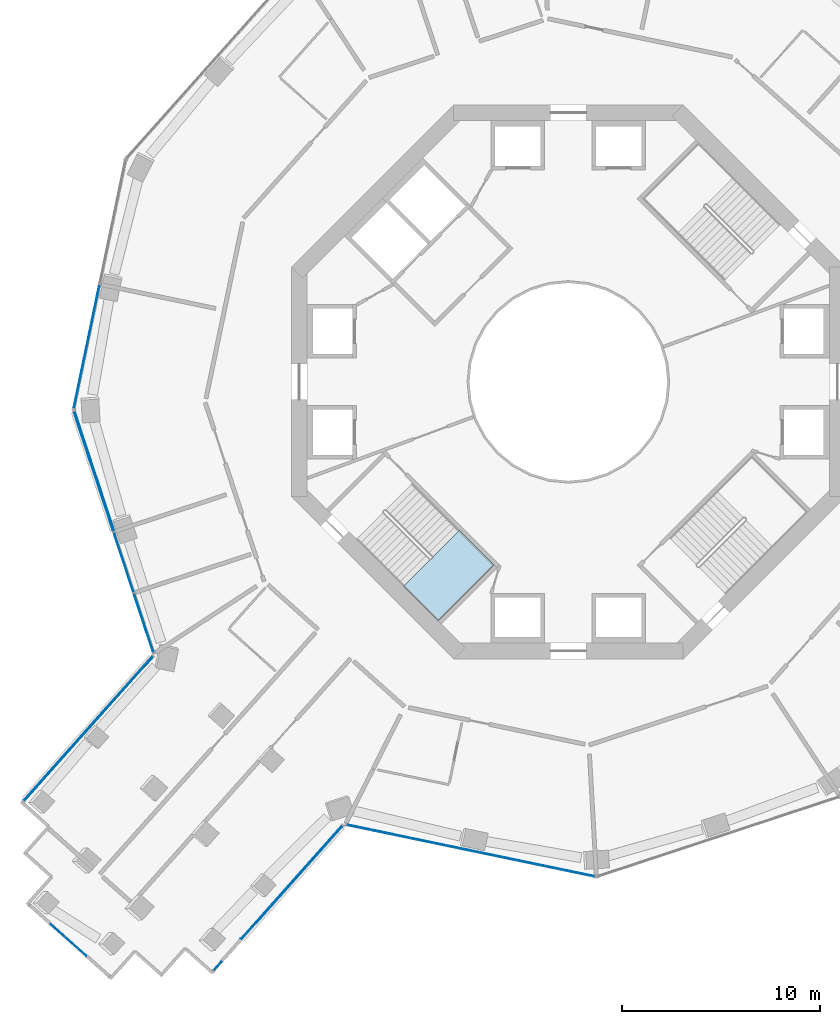
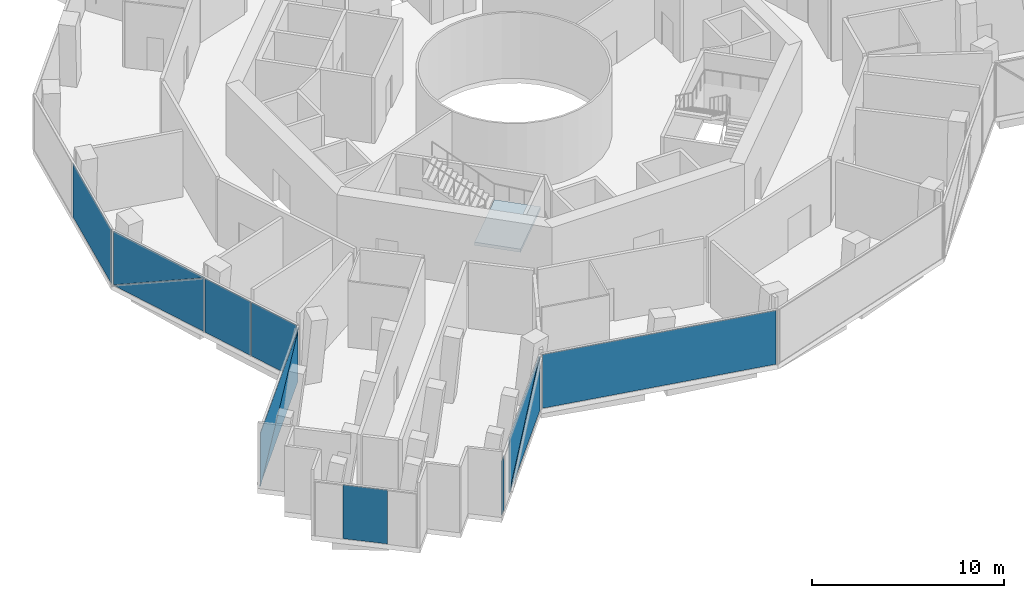
# One storey, part 10 of 21: 12 plates, 1 slab, 7 elements without a shape of their own.
"""IFC4 building model written with IfcOpenShell, lengths in metres."""

from ifc_helpers import new_model, si_unit, direction, frame, origin, origin_2d, place, context, subcontext, project, spatial, polyline, rectangle, outline, extrude, material, layer, layer_set, type_object, element, aggregate, save


model = new_model("IFC4")

# Units and contexts
model_context = context("Model", 3, precision=1e-05, world=origin(), true_north=direction((0.0, 1.0)))
body_context = subcontext(model_context, "Body", "Model", "MODEL_VIEW")
ifc_project = project(units=[si_unit("LENGTHUNIT", "METRE"), si_unit("AREAUNIT", "SQUARE_METRE"), si_unit("VOLUMEUNIT", "CUBIC_METRE"), si_unit("PLANEANGLEUNIT", "RADIAN"), si_unit("MASSUNIT", "GRAM", prefix="KILO")], contexts=[model_context])

# Site, building, storey
site_placement = place(None, origin())
site = spatial("IfcSite", under=ifc_project, at=site_placement, CompositionType="ELEMENT")
building_placement = place(site_placement, origin())
building = spatial("IfcBuilding", under=site, at=building_placement, Name="Verdalira Terraces Hotel", CompositionType="ELEMENT")
storey_placement = place(building_placement, frame((0.0, 0.0, 107.0)))
storey = spatial("IfcBuildingStorey", under=building, at=storey_placement, Name="L25", CompositionType="ELEMENT", Elevation=107.0)

# Curtain wall, plate
ifc_material_1 = material(Name="Clear glass", Category="glass")
ifc_layer_1 = layer(ifc_material_1, 0.179931640625)
ifc_layer_set_1 = layer_set([ifc_layer_1], Name="CW4 curtain wall")
curtain_wall_type = type_object("IfcCurtainWallType", Name="CW4 curtain wall", PredefinedType="NOTDEFINED", material=ifc_layer_set_1)
curtain_wall_1_placement = place(storey_placement, origin())
curtain_wall_1 = element("IfcCurtainWall", 1, at=curtain_wall_1_placement, inside=storey, type_object=curtain_wall_type, Name="CW4 curtain wall L25 edge 12", PredefinedType="NOTDEFINED")
ifc_material_2 = material(Name="Clear glass", Category="glass")
ifc_layer_2 = layer(ifc_material_2, 0.035888671875)
ifc_layer_set_2 = layer_set([ifc_layer_2], Name="CW4 glass unit 36")
plate_type = type_object("IfcPlateType", Name="CW4 glass unit 36", PredefinedType="CURTAIN_PANEL", material=ifc_layer_set_2)
plate_1_placement = place(storey_placement, frame((-24.345459, 1.785645, 0.0), z_axis=(0.0, 0.0, 1.0), x_axis=(-0.203812624, -0.979009915, 0.0)))
plate_1 = element("IfcPlate", 2, at=plate_1_placement, type_object=plate_type, Name="CW4 glass unit", PredefinedType="CURTAIN_PANEL", context=body_context, shape_type="SweptSolid", body=[
    extrude(rectangle(XDim=6.362305, YDim=0.035889, at=origin_2d()), origin(), (0.0, 0.0, 1.0), 3.419922),
])
aggregate(curtain_wall_1, [plate_1])

# Curtain wall, plates
curtain_wall_2_placement = place(storey_placement, origin())
curtain_wall_2 = element("IfcCurtainWall", 3, at=curtain_wall_2_placement, inside=storey, type_object=curtain_wall_type, Name="CW4 curtain wall L25 edge 13", PredefinedType="NOTDEFINED")
plate_2_placement = place(storey_placement, frame((-23.971191, -4.516113, 1.709961), z_axis=(-0.949753769, -0.312998048, 0.0), x_axis=(0.312998048, -0.949753769, 0.0)))
plate_2 = element("IfcPlate", 4, at=plate_2_placement, type_object=plate_type, Name="CW4 glass unit", PredefinedType="CURTAIN_PANEL", context=body_context, shape_type="SweptSolid", body=[
    extrude(outline(polyline([(-3.181152, -1.709961), (3.181152, -1.709961), (3.181152, 1.709961), (-3.181152, -1.709961)])), origin(), (0.0, 0.0, 1.0), 0.035889),
])
plate_3_placement = place(storey_placement, frame((-23.936035, -4.504395, 1.709961), z_axis=(-0.949753769, -0.312998048, 0.0), x_axis=(0.312998048, -0.949753769, 0.0)))
plate_3 = element("IfcPlate", 5, at=plate_3_placement, type_object=plate_type, Name="CW4 glass unit", PredefinedType="CURTAIN_PANEL", context=body_context, shape_type="SweptSolid", body=[
    extrude(outline(polyline([(-3.181152, -1.709961), (3.181152, 1.709961), (-3.181152, 1.709961), (-3.181152, -1.709961)])), origin(), (0.0, 0.0, 1.0), 0.035889),
])
plate_4_placement = place(storey_placement, frame((-22.473877, -9.117432, 0.0), z_axis=(0.0, 0.0, 1.0), x_axis=(0.312998048, -0.949753769, 0.0)))
plate_4 = element("IfcPlate", 6, at=plate_4_placement, type_object=plate_type, Name="CW4 glass unit", PredefinedType="CURTAIN_PANEL", context=body_context, shape_type="SweptSolid", body=[
    extrude(rectangle(XDim=3.185059, YDim=0.035889, at=origin_2d()), origin(), (0.0, 0.0, 1.0), 3.419922),
])
plate_5_placement = place(storey_placement, frame((-21.464355, -12.18042, 0.0), z_axis=(0.0, 0.0, 1.0), x_axis=(0.312998048, -0.949753769, 0.0)))
plate_5 = element("IfcPlate", 7, at=plate_5_placement, type_object=plate_type, Name="CW4 glass unit", PredefinedType="CURTAIN_PANEL", context=body_context, shape_type="SweptSolid", body=[
    extrude(rectangle(XDim=3.135254, YDim=0.035889, at=origin_2d()), origin(), (0.0, 0.0, 1.0), 3.419922),
])
aggregate(curtain_wall_2, [plate_2, plate_3, plate_4, plate_5])

curtain_wall_3_placement = place(storey_placement, origin())
curtain_wall_3 = element("IfcCurtainWall", 8, at=curtain_wall_3_placement, inside=storey, type_object=curtain_wall_type, Name="CW4 curtain wall L25 edge 14", PredefinedType="NOTDEFINED")
plate_6_placement = place(storey_placement, frame((-24.257568, -17.526367, 1.709961), z_axis=(-0.745941145, 0.666011867, 0.0), x_axis=(-0.666011867, -0.745941145, 0.0)))
plate_6 = element("IfcPlate", 9, at=plate_6_placement, type_object=plate_type, Name="CW4 glass unit", PredefinedType="CURTAIN_PANEL", context=body_context, shape_type="SweptSolid", body=[
    extrude(outline(polyline([(-4.888916, -1.709961), (4.888916, -1.709961), (-4.888916, 1.709961), (-4.888916, -1.709961)])), origin(), (0.0, 0.0, 1.0), 0.035889),
])
plate_7_placement = place(storey_placement, frame((-24.22998, -17.551025, 1.709961), z_axis=(-0.745941145, 0.666011867, 0.0), x_axis=(-0.666011867, -0.745941145, 0.0)))
plate_7 = element("IfcPlate", 10, at=plate_7_placement, type_object=plate_type, Name="CW4 glass unit", PredefinedType="CURTAIN_PANEL", context=body_context, shape_type="SweptSolid", body=[
    extrude(outline(polyline([(4.888916, -1.709961), (4.888916, 1.709961), (-4.888916, 1.709961), (4.888916, -1.709961)])), origin(), (0.0, 0.0, 1.0), 0.035889),
])
aggregate(curtain_wall_3, [plate_6, plate_7])

# Curtain wall, plate
curtain_wall_4_placement = place(storey_placement, origin())
curtain_wall_4 = element("IfcCurtainWall", 11, at=curtain_wall_4_placement, inside=storey, type_object=curtain_wall_type, Name="CW4 curtain wall L25 edge 19", PredefinedType="NOTDEFINED")
plate_8_placement = place(storey_placement, frame((-25.25293, -28.22583, 0.0), z_axis=(0.0, 0.0, 1.0), x_axis=(0.745941145, -0.666011867, 0.0)))
plate_8 = element("IfcPlate", 12, at=plate_8_placement, type_object=plate_type, Name="CW4 glass unit", PredefinedType="CURTAIN_PANEL", context=body_context, shape_type="SweptSolid", body=[
    extrude(rectangle(XDim=2.376953, YDim=0.035889, at=origin_2d()), origin(), (0.0, 0.0, 1.0), 3.419922),
])
aggregate(curtain_wall_4, [plate_8])

# Curtain wall, plates
curtain_wall_5_placement = place(storey_placement, origin())
curtain_wall_5 = element("IfcCurtainWall", 13, at=curtain_wall_5_placement, inside=storey, type_object=curtain_wall_type, Name="CW4 curtain wall L25 edge 24", PredefinedType="NOTDEFINED")
plate_9_placement = place(storey_placement, frame((-17.731201, -29.528809, 0.0), z_axis=(0.0, 0.0, 1.0), x_axis=(0.666011867, 0.745941145, 0.0)))
plate_9 = element("IfcPlate", 14, at=plate_9_placement, type_object=plate_type, Name="CW4 glass unit", PredefinedType="CURTAIN_PANEL", context=body_context, shape_type="SweptSolid", body=[
    extrude(rectangle(XDim=0.564941, YDim=0.035889, at=origin_2d()), origin(), (0.0, 0.0, 1.0), 3.419922),
])
plate_10_placement = place(storey_placement, frame((-13.98584, -25.306885, 1.709961), z_axis=(0.745941145, -0.666011867, 0.0), x_axis=(0.666011867, 0.745941145, 0.0)))
plate_10 = element("IfcPlate", 15, at=plate_10_placement, type_object=plate_type, Name="CW4 glass unit", PredefinedType="CURTAIN_PANEL", context=body_context, shape_type="SweptSolid", body=[
    extrude(outline(polyline([(-3.851562, -1.709961), (3.851562, -1.709961), (3.851562, 1.709961), (-3.851562, -1.709961)])), origin(), (0.0, 0.0, 1.0), 0.035889),
])
plate_11_placement = place(storey_placement, frame((-14.013428, -25.282227, 1.709961), z_axis=(0.745941145, -0.666011867, 0.0), x_axis=(0.666011867, 0.745941145, 0.0)))
plate_11 = element("IfcPlate", 16, at=plate_11_placement, type_object=plate_type, Name="CW4 glass unit", PredefinedType="CURTAIN_PANEL", context=body_context, shape_type="SweptSolid", body=[
    extrude(outline(polyline([(-3.851562, -1.709961), (3.851562, 1.709961), (-3.851562, 1.709961), (-3.851562, -1.709961)])), origin(), (0.0, 0.0, 1.0), 0.035889),
])
aggregate(curtain_wall_5, [plate_9, plate_10, plate_11])

# Curtain wall, plate
curtain_wall_6_placement = place(storey_placement, origin())
curtain_wall_6 = element("IfcCurtainWall", 17, at=curtain_wall_6_placement, inside=storey, type_object=curtain_wall_type, Name="CW4 curtain wall L25 edge 25", PredefinedType="NOTDEFINED")
plate_12_placement = place(storey_placement, frame((-4.943115, -23.687988, 0.0), z_axis=(0.0, 0.0, 1.0), x_axis=(0.979009915, -0.203812624, 0.0)))
plate_12 = element("IfcPlate", 18, at=plate_12_placement, type_object=plate_type, Name="CW4 glass unit", PredefinedType="CURTAIN_PANEL", context=body_context, shape_type="SweptSolid", body=[
    extrude(rectangle(XDim=12.8125, YDim=0.035889, at=origin_2d()), origin(), (0.0, 0.0, 1.0), 3.419922),
])
aggregate(curtain_wall_6, [plate_12])

# Stair, slab
ifc_material_3 = material(Name="Concrete C40", Category="concrete")
stair_type = type_object("IfcStairType", Name="Core stair 26 risers 1950 mm wide", PredefinedType="HALF_TURN_STAIR", material=ifc_material_3)
stair_placement = place(storey_placement, origin())
stair = element("IfcStair", 19, at=stair_placement, inside=storey, type_object=stair_type, Name="L25 Exit stair ST2", PredefinedType="HALF_TURN_STAIR")
ifc_material_4 = material(Name="Concrete C40", Category="concrete")
ifc_layer_3 = layer(ifc_material_4, 0.199951171875)
ifc_layer_set_3 = layer_set([ifc_layer_3], Name="Core stair landing 200 mm")
slab_type = type_object("IfcSlabType", Name="Core stair landing 200 mm", PredefinedType="LANDING", material=ifc_layer_set_3)
slab_placement = place(storey_placement, frame((0.0, 0.0, 2.050049)))
slab = element("IfcSlab", 20, at=slab_placement, type_object=slab_type, Name="ST2 landing 1", PredefinedType="LANDING", context=body_context, shape_type="SweptSolid", body=[
    extrude(outline(polyline([(-8.337158, -10.330566), (-6.576172, -12.091553), (-3.747559, -9.263184), (-5.508789, -7.501953), (-8.337158, -10.330566)])), origin(), (0.0, 0.0, 1.0), 0.199951),
])
aggregate(stair, [slab])

save(model, "model.ifc")
